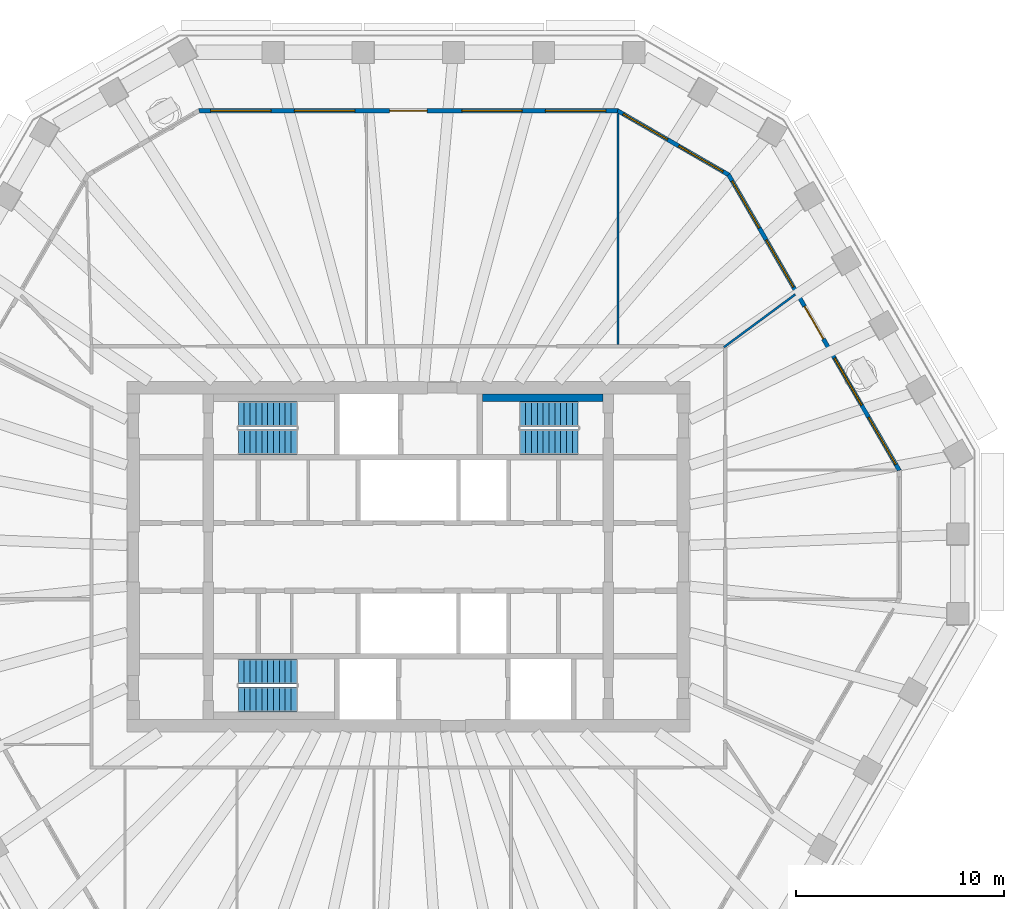
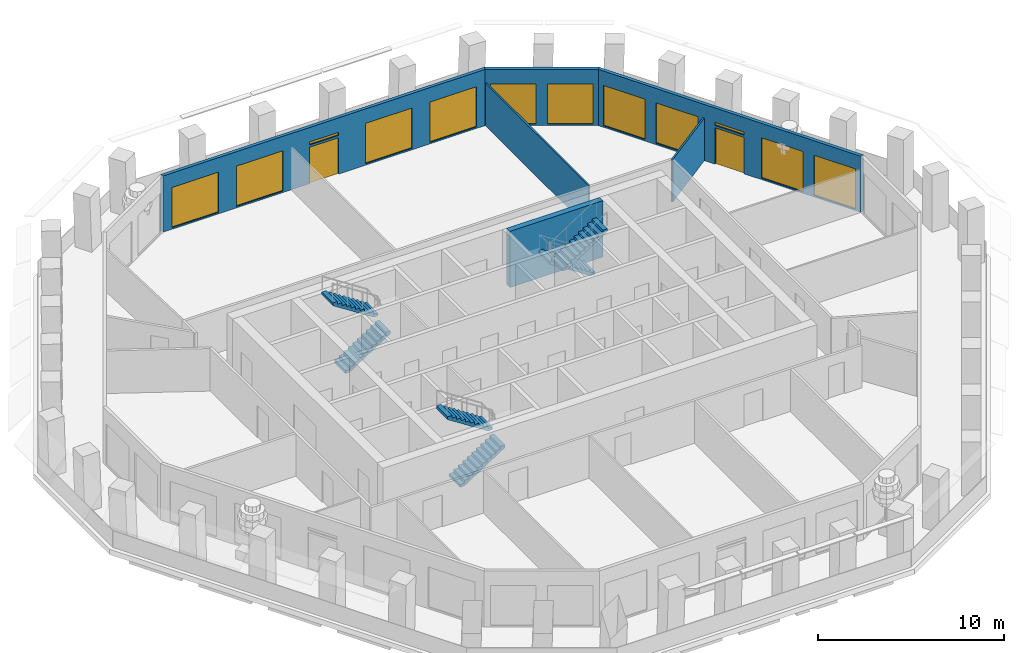
# One storey, part 8 of 12: 12 windows, 6 stair flights, 6 walls, 2 doors, 14 openings, 3 elements without a shape of their own.
"""IFC4 building model written with IfcOpenShell, lengths in metres."""

from ifc_helpers import new_model, si_unit, direction, frame, frame_2d, origin, place, context, subcontext, project, spatial, polyline, rectangle, outline, extrude, material, layer, layer_set, type_object, element, fill, aggregate, save


model = new_model("IFC4")

# Units and contexts
model_context = context("Model", 3, precision=1e-05, world=origin(), true_north=direction((0.0, 1.0)))
body_context = subcontext(model_context, "Body", "Model", "MODEL_VIEW")
ifc_project = project(units=[si_unit("LENGTHUNIT", "METRE"), si_unit("AREAUNIT", "SQUARE_METRE"), si_unit("VOLUMEUNIT", "CUBIC_METRE"), si_unit("PLANEANGLEUNIT", "RADIAN"), si_unit("MASSUNIT", "GRAM", prefix="KILO")], contexts=[model_context])

# Site, building, storey
site_placement = place(None, origin())
site = spatial("IfcSite", under=ifc_project, at=site_placement, CompositionType="ELEMENT")
building_placement = place(site_placement, origin())
building = spatial("IfcBuilding", under=site, at=building_placement, Name="Frailejon Research Tower", CompositionType="ELEMENT")
storey_placement = place(building_placement, frame((0.0, 0.0, 245.39990234375)))
storey = spatial("IfcBuildingStorey", under=building, at=storey_placement, Name="L53", CompositionType="ELEMENT", Elevation=245.39990234375)

# Walls
ifc_material_1 = material(Name="Gypsum board and masonry partition", Category="masonry")
ifc_layer_1 = layer(ifc_material_1, 0.10009765625)
ifc_layer_set_1 = layer_set([ifc_layer_1], Name="Partition, gypsum on steel studs 100")
wall_type_1 = type_object("IfcWallType", Name="Partition, gypsum on steel studs 100", PredefinedType="PARTITIONING", material=ifc_layer_set_1)
wall_1_placement = place(storey_placement, frame((15.1396484375, 10.055419921875, 0.0), z_axis=(0.0, 0.0, 1.0), x_axis=(0.803940068615, 0.594710321144, 0.0)))
element("IfcWall", 1, at=wall_1_placement, inside=storey, type_object=wall_type_1, Name="T:IW:L53:016", PredefinedType="PARTITIONING", context=body_context, shape_type="SweptSolid", body=[
    extrude(rectangle(XDim=4.256591796875, YDim=0.10009765625, at=frame_2d((2.12841796875, 0.0))), origin(), (0.0, 0.0, 1.0), 2.800048828125),
])
wall_2_placement = place(storey_placement, frame((10.0634765625, 10.175048828125, 0.0), z_axis=(0.0, 0.0, 1.0), x_axis=(0.0, 1.0, 0.0)))
element("IfcWall", 2, at=wall_2_placement, inside=storey, type_object=wall_type_1, Name="T:IW:L53:017", PredefinedType="PARTITIONING", context=body_context, shape_type="SweptSolid", body=[
    extrude(rectangle(XDim=11.093994140625, YDim=0.10009765625, at=frame_2d((5.546875, 0.0))), origin(), (0.0, 0.0, 1.0), 2.800048828125),
])
ifc_material_2 = material(Name="Concrete C60/75", Category="concrete")
ifc_layer_2 = layer(ifc_material_2, 0.35009765625)
ifc_layer_set_2 = layer_set([ifc_layer_2], Name="Shaft wall 350 C60/75")
wall_type_2 = type_object("IfcWallType", Name="Shaft wall 350 C60/75", PredefinedType="SOLIDWALL", material=ifc_layer_set_2)
wall_3_placement = place(storey_placement, frame((3.550048828125, 7.625, 0.0), z_axis=(0.0, 0.0, 1.0), x_axis=(1.0, 0.0, 0.0)))
element("IfcWall", 3, at=wall_3_placement, inside=storey, type_object=wall_type_2, Name="Shaft wall", PredefinedType="SOLIDWALL", context=body_context, shape_type="SweptSolid", body=[
    extrude(rectangle(XDim=5.800048828125, YDim=0.35009765625, at=frame_2d((2.89990234375, 0.0))), origin(), (0.0, 0.0, 1.0), 3.7001953125),
])

# Wall, openings, door, windows
ifc_material_3 = material(Name="Concrete C40/50 precast window wall panel", Category="concrete")
ifc_layer_3 = layer(ifc_material_3, 0.199951171875)
ifc_layer_set_3 = layer_set([ifc_layer_3], Name="Window wall 200")
wall_type_3 = type_object("IfcWallType", Name="Window wall 200", PredefinedType="SOLIDWALL", material=ifc_layer_set_3)
wall_4_placement = place(storey_placement, frame((23.55126953125, 4.14501953125, 0.0), z_axis=(0.0, 0.0, 1.0), x_axis=(-0.500004284815, 0.866022929931, 0.0)))
wall_4 = element("IfcWall", 4, at=wall_4_placement, inside=storey, type_object=wall_type_3, Name="Exterior wall L53", PredefinedType="SOLIDWALL", context=body_context, shape_type="SweptSolid", body=[
    extrude(outline(polyline([(-0.02685546875, -0.10009765625), (0.999755859375, -0.10009765625), (2.0263671875, -0.10009765625), (3.052978515625, -0.10009765625), (4.07958984375, -0.10009765625), (5.106201171875, -0.10009765625), (6.1328125, -0.10009765625), (7.159423828125, -0.10009765625), (8.18603515625, -0.10009765625), (9.21240234375, -0.10009765625), (10.239013671875, -0.10009765625), (11.265625, -0.10009765625), (12.292236328125, -0.10009765625), (13.31884765625, -0.10009765625), (14.345458984375, -0.10009765625), (15.3720703125, -0.10009765625), (16.398681640625, -0.10009765625), (16.344970703125, 0.10009765625), (15.3251953125, 0.10009765625), (14.30517578125, 0.10009765625), (13.285400390625, 0.10009765625), (12.265380859375, 0.10009765625), (11.24560546875, 0.10009765625), (10.2255859375, 0.10009765625), (9.205810546875, 0.10009765625), (8.18603515625, 0.10009765625), (7.166015625, 0.10009765625), (6.146240234375, 0.10009765625), (5.126220703125, 0.10009765625), (4.1064453125, 0.10009765625), (3.08642578125, 0.10009765625), (2.066650390625, 0.10009765625), (1.046630859375, 0.10009765625), (0.02685546875, 0.10009765625), (-0.02685546875, -0.10009765625)])), origin(), (0.0, 0.0, 1.0), 3.7001953125),
])
opening_1_placement = place(wall_4_placement, frame((0.337158203125, 0.0, 0.10009765625)))
opening_1 = element("IfcOpeningElement", 5, at=opening_1_placement, cuts=wall_4, Name="Opening W18", PredefinedType="OPENING", context=body_context, shape_type="SweptSolid", body=[
    extrude(rectangle(XDim=2.60009765625, YDim=2.64990234375, at=frame_2d((1.300048828125, 1.324951171875))), frame((0.0, 0.10986328125, 0.0), z_axis=(0.0, -1.0, 0.0), x_axis=(1.0, 0.0, 0.0)), (0.0, 0.0, 1.0), 0.219970703125),
])
opening_2_placement = place(wall_4_placement, frame((3.611572265625, 0.0, 0.10009765625)))
opening_2 = element("IfcOpeningElement", 6, at=opening_2_placement, cuts=wall_4, Name="Opening W18", PredefinedType="OPENING", context=body_context, shape_type="SweptSolid", body=[
    extrude(rectangle(XDim=2.60009765625, YDim=2.64990234375, at=frame_2d((1.300048828125, 1.324951171875))), frame((0.0, 0.10986328125, 0.0), z_axis=(0.0, -1.0, 0.0), x_axis=(1.0, 0.0, 0.0)), (0.0, 0.0, 1.0), 0.219970703125),
])
opening_3_placement = place(wall_4_placement, frame((7.285888671875, 0.0, 0.0)))
opening_3 = element("IfcOpeningElement", 7, at=opening_3_placement, cuts=wall_4, Name="Opening LG53-1", PredefinedType="OPENING", context=body_context, shape_type="SweptSolid", body=[
    extrude(rectangle(XDim=1.800048828125, YDim=2.39990234375, at=frame_2d((0.89990234375, 1.199951171875))), frame((0.0, 0.10986328125, 0.0), z_axis=(0.0, -1.0, 0.0), x_axis=(1.0, 0.0, 0.0)), (0.0, 0.0, 1.0), 0.219970703125),
])
opening_4_placement = place(wall_4_placement, frame((7.285888671875, 0.0, 2.550048828125)))
opening_4 = element("IfcOpeningElement", 8, at=opening_4_placement, cuts=wall_4, Name="Opening W19", PredefinedType="OPENING", context=body_context, shape_type="SweptSolid", body=[
    extrude(rectangle(XDim=1.800048828125, YDim=0.199951171875, at=frame_2d((0.89990234375, 0.10009765625))), frame((0.0, 0.10986328125, 0.0), z_axis=(0.0, -1.0, 0.0), x_axis=(1.0, 0.0, 0.0)), (0.0, 0.0, 1.0), 0.219970703125),
])
opening_5_placement = place(wall_4_placement, frame((10.160400390625, 0.0, 0.10009765625)))
opening_5 = element("IfcOpeningElement", 9, at=opening_5_placement, cuts=wall_4, Name="Opening W18", PredefinedType="OPENING", context=body_context, shape_type="SweptSolid", body=[
    extrude(rectangle(XDim=2.60009765625, YDim=2.64990234375, at=frame_2d((1.300048828125, 1.324951171875))), frame((0.0, 0.10986328125, 0.0), z_axis=(0.0, -1.0, 0.0), x_axis=(1.0, 0.0, 0.0)), (0.0, 0.0, 1.0), 0.219970703125),
])
opening_6_placement = place(wall_4_placement, frame((13.434814453125, 0.0, 0.10009765625)))
opening_6 = element("IfcOpeningElement", 10, at=opening_6_placement, cuts=wall_4, Name="Opening W18", PredefinedType="OPENING", context=body_context, shape_type="SweptSolid", body=[
    extrude(rectangle(XDim=2.60009765625, YDim=2.64990234375, at=frame_2d((1.300048828125, 1.324951171875))), frame((0.0, 0.10986328125, 0.0), z_axis=(0.0, -1.0, 0.0), x_axis=(1.0, 0.0, 0.0)), (0.0, 0.0, 1.0), 0.219970703125),
])
ifc_material_4 = material(Name="Aluminium framed glazed door leaf", Category="aluminium")
door_type = type_object("IfcDoorType", Name="Loggia door 1800x2400", OperationType="DOUBLE_DOOR_SINGLE_SWING", PredefinedType="DOOR", material=ifc_material_4)
door_1_placement = place(opening_3_placement, origin())
door_1 = element("IfcDoor", 11, at=door_1_placement, inside=storey, type_object=door_type, Name="Door LG53-1", OperationType="DOUBLE_DOOR_SINGLE_SWING", OverallHeight=2.39990234375, OverallWidth=1.800048828125, PredefinedType="DOOR", context=body_context, shape_type="SweptSolid", body=[
    extrude(rectangle(XDim=1.800048828125, YDim=2.39990234375, at=frame_2d((0.89990234375, 1.199951171875))), frame((0.0, 0.02490234375, 0.0), z_axis=(0.0, -1.0, 0.0), x_axis=(1.0, 0.0, 0.0)), (0.0, 0.0, 1.0), 0.050048828125),
])
fill(opening_3, door_1)
ifc_material_5 = material(Name="Aluminium framed double glazing", Category="aluminium")
window_type_1 = type_object("IfcWindowType", Name="Window 1800x200", PartitioningType="SINGLE_PANEL", PredefinedType="WINDOW", material=ifc_material_5)
window_1_placement = place(opening_4_placement, origin())
window_1 = element("IfcWindow", 12, at=window_1_placement, inside=storey, type_object=window_type_1, Name="Window L53", OverallHeight=0.199951171875, OverallWidth=1.800048828125, PartitioningType="SINGLE_PANEL", PredefinedType="WINDOW", context=body_context, shape_type="SweptSolid", body=[
    extrude(rectangle(XDim=1.800048828125, YDim=0.199951171875, at=frame_2d((0.89990234375, 0.10009765625))), frame((0.0, 0.030029296875, 0.0), z_axis=(0.0, -1.0, 0.0), x_axis=(1.0, 0.0, 0.0)), (0.0, 0.0, 1.0), 0.06005859375),
])
fill(opening_4, window_1)
ifc_material_6 = material(Name="Aluminium framed double glazing", Category="aluminium")
window_type_2 = type_object("IfcWindowType", Name="Window 2600x2650", PartitioningType="SINGLE_PANEL", PredefinedType="WINDOW", material=ifc_material_6)
window_2_placement = place(opening_1_placement, origin())
window_2 = element("IfcWindow", 13, at=window_2_placement, inside=storey, type_object=window_type_2, Name="Window L53", OverallHeight=2.64990234375, OverallWidth=2.60009765625, PartitioningType="SINGLE_PANEL", PredefinedType="WINDOW", context=body_context, shape_type="SweptSolid", body=[
    extrude(rectangle(XDim=2.60009765625, YDim=2.64990234375, at=frame_2d((1.300048828125, 1.324951171875))), frame((0.0, 0.030029296875, 0.0), z_axis=(0.0, -1.0, 0.0), x_axis=(1.0, 0.0, 0.0)), (0.0, 0.0, 1.0), 0.06005859375),
])
fill(opening_1, window_2)
window_3_placement = place(opening_2_placement, origin())
window_3 = element("IfcWindow", 14, at=window_3_placement, inside=storey, type_object=window_type_2, Name="Window L53", OverallHeight=2.64990234375, OverallWidth=2.60009765625, PartitioningType="SINGLE_PANEL", PredefinedType="WINDOW", context=body_context, shape_type="SweptSolid", body=[
    extrude(rectangle(XDim=2.60009765625, YDim=2.64990234375, at=frame_2d((1.300048828125, 1.324951171875))), frame((0.0, 0.030029296875, 0.0), z_axis=(0.0, -1.0, 0.0), x_axis=(1.0, 0.0, 0.0)), (0.0, 0.0, 1.0), 0.06005859375),
])
fill(opening_2, window_3)
window_4_placement = place(opening_5_placement, origin())
window_4 = element("IfcWindow", 15, at=window_4_placement, inside=storey, type_object=window_type_2, Name="Window L53", OverallHeight=2.64990234375, OverallWidth=2.60009765625, PartitioningType="SINGLE_PANEL", PredefinedType="WINDOW", context=body_context, shape_type="SweptSolid", body=[
    extrude(rectangle(XDim=2.60009765625, YDim=2.64990234375, at=frame_2d((1.300048828125, 1.324951171875))), frame((0.0, 0.030029296875, 0.0), z_axis=(0.0, -1.0, 0.0), x_axis=(1.0, 0.0, 0.0)), (0.0, 0.0, 1.0), 0.06005859375),
])
fill(opening_5, window_4)
window_5_placement = place(opening_6_placement, origin())
window_5 = element("IfcWindow", 16, at=window_5_placement, inside=storey, type_object=window_type_2, Name="Window L53", OverallHeight=2.64990234375, OverallWidth=2.60009765625, PartitioningType="SINGLE_PANEL", PredefinedType="WINDOW", context=body_context, shape_type="SweptSolid", body=[
    extrude(rectangle(XDim=2.60009765625, YDim=2.64990234375, at=frame_2d((1.300048828125, 1.324951171875))), frame((0.0, 0.030029296875, 0.0), z_axis=(0.0, -1.0, 0.0), x_axis=(1.0, 0.0, 0.0)), (0.0, 0.0, 1.0), 0.06005859375),
])
fill(opening_6, window_5)

# Wall, openings, windows
wall_5_placement = place(storey_placement, frame((15.365234375, 18.323486328125, 0.0), z_axis=(0.0, 0.0, 1.0), x_axis=(-0.866029647142, 0.499992650217, 0.0)))
wall_5 = element("IfcWall", 17, at=wall_5_placement, inside=storey, type_object=wall_type_3, Name="Exterior wall L53", PredefinedType="SOLIDWALL", context=body_context, shape_type="SweptSolid", body=[
    extrude(outline(polyline([(-0.02685546875, -0.10009765625), (1.007568359375, -0.10009765625), (2.0419921875, -0.10009765625), (3.076416015625, -0.10009765625), (4.11083984375, -0.10009765625), (5.145263671875, -0.10009765625), (6.1796875, -0.10009765625), (6.1259765625, 0.10009765625), (5.109375, 0.10009765625), (4.093017578125, 0.10009765625), (3.076416015625, 0.10009765625), (2.059814453125, 0.10009765625), (1.04345703125, 0.10009765625), (0.02685546875, 0.10009765625), (-0.02685546875, -0.10009765625)])), origin(), (0.0, 0.0, 1.0), 3.7001953125),
])
opening_7_placement = place(wall_5_placement, frame((0.313232421875, 0.0, 0.10009765625)))
opening_7 = element("IfcOpeningElement", 18, at=opening_7_placement, cuts=wall_5, Name="Opening W17", PredefinedType="OPENING", context=body_context, shape_type="SweptSolid", body=[
    extrude(rectangle(XDim=2.449951171875, YDim=2.64990234375, at=frame_2d((1.22509765625, 1.324951171875))), frame((0.0, 0.10986328125, 0.0), z_axis=(0.0, -1.0, 0.0), x_axis=(1.0, 0.0, 0.0)), (0.0, 0.0, 1.0), 0.219970703125),
])
opening_8_placement = place(wall_5_placement, frame((3.3896484375, 0.0, 0.10009765625)))
opening_8 = element("IfcOpeningElement", 19, at=opening_8_placement, cuts=wall_5, Name="Opening W17", PredefinedType="OPENING", context=body_context, shape_type="SweptSolid", body=[
    extrude(rectangle(XDim=2.449951171875, YDim=2.64990234375, at=frame_2d((1.22509765625, 1.324951171875))), frame((0.0, 0.10986328125, 0.0), z_axis=(0.0, -1.0, 0.0), x_axis=(1.0, 0.0, 0.0)), (0.0, 0.0, 1.0), 0.219970703125),
])
ifc_material_7 = material(Name="Aluminium framed double glazing", Category="aluminium")
window_type_3 = type_object("IfcWindowType", Name="Window 2450x2650", PartitioningType="SINGLE_PANEL", PredefinedType="WINDOW", material=ifc_material_7)
window_6_placement = place(opening_7_placement, origin())
window_6 = element("IfcWindow", 20, at=window_6_placement, inside=storey, type_object=window_type_3, Name="Window L53", OverallHeight=2.64990234375, OverallWidth=2.449951171875, PartitioningType="SINGLE_PANEL", PredefinedType="WINDOW", context=body_context, shape_type="SweptSolid", body=[
    extrude(rectangle(XDim=2.449951171875, YDim=2.64990234375, at=frame_2d((1.22509765625, 1.324951171875))), frame((0.0, 0.030029296875, 0.0), z_axis=(0.0, -1.0, 0.0), x_axis=(1.0, 0.0, 0.0)), (0.0, 0.0, 1.0), 0.06005859375),
])
fill(opening_7, window_6)
window_7_placement = place(opening_8_placement, origin())
window_7 = element("IfcWindow", 21, at=window_7_placement, inside=storey, type_object=window_type_3, Name="Window L53", OverallHeight=2.64990234375, OverallWidth=2.449951171875, PartitioningType="SINGLE_PANEL", PredefinedType="WINDOW", context=body_context, shape_type="SweptSolid", body=[
    extrude(rectangle(XDim=2.449951171875, YDim=2.64990234375, at=frame_2d((1.22509765625, 1.324951171875))), frame((0.0, 0.030029296875, 0.0), z_axis=(0.0, -1.0, 0.0), x_axis=(1.0, 0.0, 0.0)), (0.0, 0.0, 1.0), 0.06005859375),
])
fill(opening_8, window_7)

# Wall, openings, door, windows
wall_6_placement = place(storey_placement, frame((10.03662109375, 21.39990234375, 0.0), z_axis=(0.0, 0.0, 1.0), x_axis=(-1.0, 0.0, 0.0)))
wall_6 = element("IfcWall", 22, at=wall_6_placement, inside=storey, type_object=wall_type_3, Name="Exterior wall L53", PredefinedType="SOLIDWALL", context=body_context, shape_type="SweptSolid", body=[
    extrude(outline(polyline([(-0.02685546875, -0.10009765625), (0.9794921875, -0.10009765625), (1.98583984375, -0.10009765625), (2.9921875, -0.10009765625), (3.99853515625, -0.10009765625), (5.0048828125, -0.10009765625), (6.01123046875, -0.10009765625), (7.017578125, -0.10009765625), (8.02392578125, -0.10009765625), (9.0302734375, -0.10009765625), (10.03662109375, -0.10009765625), (11.04296875, -0.10009765625), (12.04931640625, -0.10009765625), (13.0556640625, -0.10009765625), (14.06201171875, -0.10009765625), (15.068359375, -0.10009765625), (16.07470703125, -0.10009765625), (17.0810546875, -0.10009765625), (18.08740234375, -0.10009765625), (19.09375, -0.10009765625), (20.10009765625, -0.10009765625), (20.04638671875, 0.10009765625), (19.04541015625, 0.10009765625), (18.04443359375, 0.10009765625), (17.04345703125, 0.10009765625), (16.04248046875, 0.10009765625), (15.04150390625, 0.10009765625), (14.04052734375, 0.10009765625), (13.03955078125, 0.10009765625), (12.03857421875, 0.10009765625), (11.03759765625, 0.10009765625), (10.03662109375, 0.10009765625), (9.03564453125, 0.10009765625), (8.03466796875, 0.10009765625), (7.03369140625, 0.10009765625), (6.03271484375, 0.10009765625), (5.03173828125, 0.10009765625), (4.03076171875, 0.10009765625), (3.02978515625, 0.10009765625), (2.02880859375, 0.10009765625), (1.02783203125, 0.10009765625), (0.02685546875, 0.10009765625), (-0.02685546875, -0.10009765625)])), origin(), (0.0, 0.0, 1.0), 3.7001953125),
])
opening_9_placement = place(wall_6_placement, frame((0.557373046875, 0.0, 0.10009765625)))
opening_9 = element("IfcOpeningElement", 23, at=opening_9_placement, cuts=wall_6, Name="Opening W20", PredefinedType="OPENING", context=body_context, shape_type="SweptSolid", body=[
    extrude(rectangle(XDim=2.89990234375, YDim=2.64990234375, at=frame_2d((1.449951171875, 1.324951171875))), frame((0.0, 0.10986328125, 0.0), z_axis=(0.0, -1.0, 0.0), x_axis=(1.0, 0.0, 0.0)), (0.0, 0.0, 1.0), 0.219970703125),
])
opening_10_placement = place(wall_6_placement, frame((4.572021484375, 0.0, 0.10009765625)))
opening_10 = element("IfcOpeningElement", 24, at=opening_10_placement, cuts=wall_6, Name="Opening W20", PredefinedType="OPENING", context=body_context, shape_type="SweptSolid", body=[
    extrude(rectangle(XDim=2.89990234375, YDim=2.64990234375, at=frame_2d((1.449951171875, 1.324951171875))), frame((0.0, 0.10986328125, 0.0), z_axis=(0.0, -1.0, 0.0), x_axis=(1.0, 0.0, 0.0)), (0.0, 0.0, 1.0), 0.219970703125),
])
opening_11_placement = place(wall_6_placement, frame((9.13671875, 0.0, 0.0)))
opening_11 = element("IfcOpeningElement", 25, at=opening_11_placement, cuts=wall_6, Name="Opening LG53-2", PredefinedType="OPENING", context=body_context, shape_type="SweptSolid", body=[
    extrude(rectangle(XDim=1.800048828125, YDim=2.39990234375, at=frame_2d((0.89990234375, 1.199951171875))), frame((0.0, 0.10986328125, 0.0), z_axis=(0.0, -1.0, 0.0), x_axis=(1.0, 0.0, 0.0)), (0.0, 0.0, 1.0), 0.219970703125),
])
opening_12_placement = place(wall_6_placement, frame((9.13671875, 0.0, 2.550048828125)))
opening_12 = element("IfcOpeningElement", 26, at=opening_12_placement, cuts=wall_6, Name="Opening W19", PredefinedType="OPENING", context=body_context, shape_type="SweptSolid", body=[
    extrude(rectangle(XDim=1.800048828125, YDim=0.199951171875, at=frame_2d((0.89990234375, 0.10009765625))), frame((0.0, 0.10986328125, 0.0), z_axis=(0.0, -1.0, 0.0), x_axis=(1.0, 0.0, 0.0)), (0.0, 0.0, 1.0), 0.219970703125),
])
opening_13_placement = place(wall_6_placement, frame((12.601318359375, 0.0, 0.10009765625)))
opening_13 = element("IfcOpeningElement", 27, at=opening_13_placement, cuts=wall_6, Name="Opening W20", PredefinedType="OPENING", context=body_context, shape_type="SweptSolid", body=[
    extrude(rectangle(XDim=2.89990234375, YDim=2.64990234375, at=frame_2d((1.449951171875, 1.324951171875))), frame((0.0, 0.10986328125, 0.0), z_axis=(0.0, -1.0, 0.0), x_axis=(1.0, 0.0, 0.0)), (0.0, 0.0, 1.0), 0.219970703125),
])
opening_14_placement = place(wall_6_placement, frame((16.615966796875, 0.0, 0.10009765625)))
opening_14 = element("IfcOpeningElement", 28, at=opening_14_placement, cuts=wall_6, Name="Opening W20", PredefinedType="OPENING", context=body_context, shape_type="SweptSolid", body=[
    extrude(rectangle(XDim=2.89990234375, YDim=2.64990234375, at=frame_2d((1.449951171875, 1.324951171875))), frame((0.0, 0.10986328125, 0.0), z_axis=(0.0, -1.0, 0.0), x_axis=(1.0, 0.0, 0.0)), (0.0, 0.0, 1.0), 0.219970703125),
])
door_2_placement = place(opening_11_placement, origin())
door_2 = element("IfcDoor", 29, at=door_2_placement, inside=storey, type_object=door_type, Name="Door LG53-2", OperationType="DOUBLE_DOOR_SINGLE_SWING", OverallHeight=2.39990234375, OverallWidth=1.800048828125, PredefinedType="DOOR", context=body_context, shape_type="SweptSolid", body=[
    extrude(rectangle(XDim=1.800048828125, YDim=2.39990234375, at=frame_2d((0.89990234375, 1.199951171875))), frame((0.0, 0.02490234375, 0.0), z_axis=(0.0, -1.0, 0.0), x_axis=(1.0, 0.0, 0.0)), (0.0, 0.0, 1.0), 0.050048828125),
])
fill(opening_11, door_2)
window_8_placement = place(opening_12_placement, origin())
window_8 = element("IfcWindow", 30, at=window_8_placement, inside=storey, type_object=window_type_1, Name="Window L53", OverallHeight=0.199951171875, OverallWidth=1.800048828125, PartitioningType="SINGLE_PANEL", PredefinedType="WINDOW", context=body_context, shape_type="SweptSolid", body=[
    extrude(rectangle(XDim=1.800048828125, YDim=0.199951171875, at=frame_2d((0.89990234375, 0.10009765625))), frame((0.0, 0.030029296875, 0.0), z_axis=(0.0, -1.0, 0.0), x_axis=(1.0, 0.0, 0.0)), (0.0, 0.0, 1.0), 0.06005859375),
])
fill(opening_12, window_8)
ifc_material_8 = material(Name="Aluminium framed double glazing", Category="aluminium")
window_type_4 = type_object("IfcWindowType", Name="Window 2900x2650", PartitioningType="SINGLE_PANEL", PredefinedType="WINDOW", material=ifc_material_8)
window_9_placement = place(opening_9_placement, origin())
window_9 = element("IfcWindow", 31, at=window_9_placement, inside=storey, type_object=window_type_4, Name="Window L53", OverallHeight=2.64990234375, OverallWidth=2.89990234375, PartitioningType="SINGLE_PANEL", PredefinedType="WINDOW", context=body_context, shape_type="SweptSolid", body=[
    extrude(rectangle(XDim=2.89990234375, YDim=2.64990234375, at=frame_2d((1.449951171875, 1.324951171875))), frame((0.0, 0.030029296875, 0.0), z_axis=(0.0, -1.0, 0.0), x_axis=(1.0, 0.0, 0.0)), (0.0, 0.0, 1.0), 0.06005859375),
])
fill(opening_9, window_9)
window_10_placement = place(opening_10_placement, origin())
window_10 = element("IfcWindow", 32, at=window_10_placement, inside=storey, type_object=window_type_4, Name="Window L53", OverallHeight=2.64990234375, OverallWidth=2.89990234375, PartitioningType="SINGLE_PANEL", PredefinedType="WINDOW", context=body_context, shape_type="SweptSolid", body=[
    extrude(rectangle(XDim=2.89990234375, YDim=2.64990234375, at=frame_2d((1.449951171875, 1.324951171875))), frame((0.0, 0.030029296875, 0.0), z_axis=(0.0, -1.0, 0.0), x_axis=(1.0, 0.0, 0.0)), (0.0, 0.0, 1.0), 0.06005859375),
])
fill(opening_10, window_10)
window_11_placement = place(opening_13_placement, origin())
window_11 = element("IfcWindow", 33, at=window_11_placement, inside=storey, type_object=window_type_4, Name="Window L53", OverallHeight=2.64990234375, OverallWidth=2.89990234375, PartitioningType="SINGLE_PANEL", PredefinedType="WINDOW", context=body_context, shape_type="SweptSolid", body=[
    extrude(rectangle(XDim=2.89990234375, YDim=2.64990234375, at=frame_2d((1.449951171875, 1.324951171875))), frame((0.0, 0.030029296875, 0.0), z_axis=(0.0, -1.0, 0.0), x_axis=(1.0, 0.0, 0.0)), (0.0, 0.0, 1.0), 0.06005859375),
])
fill(opening_13, window_11)
window_12_placement = place(opening_14_placement, origin())
window_12 = element("IfcWindow", 34, at=window_12_placement, inside=storey, type_object=window_type_4, Name="Window L53", OverallHeight=2.64990234375, OverallWidth=2.89990234375, PartitioningType="SINGLE_PANEL", PredefinedType="WINDOW", context=body_context, shape_type="SweptSolid", body=[
    extrude(rectangle(XDim=2.89990234375, YDim=2.64990234375, at=frame_2d((1.449951171875, 1.324951171875))), frame((0.0, 0.030029296875, 0.0), z_axis=(0.0, -1.0, 0.0), x_axis=(1.0, 0.0, 0.0)), (0.0, 0.0, 1.0), 0.06005859375),
])
fill(opening_14, window_12)

# Stair, stair flights
ifc_material_9 = material(Name="Concrete C50/60", Category="concrete")
stair_type = type_object("IfcStairType", Name="Exit stair 22 risers", PredefinedType="HALF_TURN_STAIR", material=ifc_material_9)
stair_1_placement = place(storey_placement, origin())
stair_1 = element("IfcStair", 35, at=stair_1_placement, inside=storey, type_object=stair_type, Name="L53 Exit stair ST1", PredefinedType="HALF_TURN_STAIR")
ifc_material_10 = material(Name="Concrete C50/60", Category="concrete")
ifc_layer_4 = layer(ifc_material_10, 0.14990234375)
ifc_layer_set_4 = layer_set([ifc_layer_4], Name="Stair flight 11 risers")
stair_flight_type = type_object("IfcStairFlightType", Name="Stair flight 11 risers", PredefinedType="STRAIGHT", material=ifc_layer_set_4)
stair_flight_1_placement = place(storey_placement, frame((-8.14990234375, 5.5, 0.0), z_axis=(0.0, 0.0, 1.0), x_axis=(1.0, 0.0, 0.0)))
stair_flight_1 = element("IfcStairFlight", 36, at=stair_flight_1_placement, type_object=stair_flight_type, Name="ST1 flight 1", NumberOfRisers=11, NumberOfTreads=10, PredefinedType="STRAIGHT", RiserHeight=0.181818182, TreadLength=0.28, context=body_context, shape_type="SweptSolid", body=[
    extrude(outline(polyline([(0.0, 0.0), (0.0, 0.181884765625), (0.280029296875, 0.181884765625), (0.280029296875, 0.363525390625), (0.56005859375, 0.363525390625), (0.56005859375, 0.54541015625), (0.840087890625, 0.54541015625), (0.840087890625, 0.727294921875), (1.1201171875, 0.727294921875), (1.1201171875, 0.9091796875), (1.39990234375, 0.9091796875), (1.39990234375, 1.0908203125), (1.679931640625, 1.0908203125), (1.679931640625, 1.272705078125), (1.9599609375, 1.272705078125), (1.9599609375, 1.45458984375), (2.239990234375, 1.45458984375), (2.239990234375, 1.636474609375), (2.52001953125, 1.636474609375), (2.52001953125, 1.818115234375), (2.800048828125, 1.818115234375), (2.800048828125, 2.0), (2.800048828125, 1.639404296875), (0.275146484375, 0.0), (0.0, 0.0)])), frame((0.0, 0.60009765625, 0.0), z_axis=(0.0, -1.0, 0.0), x_axis=(1.0, 0.0, 0.0)), (0.0, 0.0, 1.0), 1.199951171875),
])
stair_flight_2_placement = place(storey_placement, frame((-5.35009765625, 6.85009765625, 2.0), z_axis=(0.0, 0.0, 1.0), x_axis=(-1.0, 0.0, 0.0)))
stair_flight_2 = element("IfcStairFlight", 37, at=stair_flight_2_placement, type_object=stair_flight_type, Name="ST1 flight 2", NumberOfRisers=11, NumberOfTreads=10, PredefinedType="STRAIGHT", RiserHeight=0.181818182, TreadLength=0.28, context=body_context, shape_type="SweptSolid", body=[
    extrude(outline(polyline([(0.0, 0.0), (0.0, 0.181884765625), (0.280029296875, 0.181884765625), (0.280029296875, 0.363525390625), (0.56005859375, 0.363525390625), (0.56005859375, 0.54541015625), (0.840087890625, 0.54541015625), (0.840087890625, 0.727294921875), (1.1201171875, 0.727294921875), (1.1201171875, 0.9091796875), (1.39990234375, 0.9091796875), (1.39990234375, 1.0908203125), (1.679931640625, 1.0908203125), (1.679931640625, 1.272705078125), (1.9599609375, 1.272705078125), (1.9599609375, 1.45458984375), (2.239990234375, 1.45458984375), (2.239990234375, 1.636474609375), (2.52001953125, 1.636474609375), (2.52001953125, 1.818115234375), (2.800048828125, 1.818115234375), (2.800048828125, 2.0), (2.800048828125, 1.639404296875), (0.275146484375, 0.0), (0.0, 0.0)])), frame((0.0, 0.60009765625, 0.0), z_axis=(0.0, -1.0, 0.0), x_axis=(1.0, 0.0, 0.0)), (0.0, 0.0, 1.0), 1.199951171875),
])
aggregate(stair_1, [stair_flight_1, stair_flight_2])

stair_2_placement = place(storey_placement, origin())
stair_2 = element("IfcStair", 38, at=stair_2_placement, inside=storey, type_object=stair_type, Name="L53 Exit stair ST2", PredefinedType="HALF_TURN_STAIR")
stair_flight_3_placement = place(storey_placement, frame((-8.14990234375, -6.85009765625, 0.0), z_axis=(0.0, 0.0, 1.0), x_axis=(1.0, 0.0, 0.0)))
stair_flight_3 = element("IfcStairFlight", 39, at=stair_flight_3_placement, type_object=stair_flight_type, Name="ST2 flight 1", NumberOfRisers=11, NumberOfTreads=10, PredefinedType="STRAIGHT", RiserHeight=0.181818182, TreadLength=0.28, context=body_context, shape_type="SweptSolid", body=[
    extrude(outline(polyline([(0.0, 0.0), (0.0, 0.181884765625), (0.280029296875, 0.181884765625), (0.280029296875, 0.363525390625), (0.56005859375, 0.363525390625), (0.56005859375, 0.54541015625), (0.840087890625, 0.54541015625), (0.840087890625, 0.727294921875), (1.1201171875, 0.727294921875), (1.1201171875, 0.9091796875), (1.39990234375, 0.9091796875), (1.39990234375, 1.0908203125), (1.679931640625, 1.0908203125), (1.679931640625, 1.272705078125), (1.9599609375, 1.272705078125), (1.9599609375, 1.45458984375), (2.239990234375, 1.45458984375), (2.239990234375, 1.636474609375), (2.52001953125, 1.636474609375), (2.52001953125, 1.818115234375), (2.800048828125, 1.818115234375), (2.800048828125, 2.0), (2.800048828125, 1.639404296875), (0.275146484375, 0.0), (0.0, 0.0)])), frame((0.0, 0.60009765625, 0.0), z_axis=(0.0, -1.0, 0.0), x_axis=(1.0, 0.0, 0.0)), (0.0, 0.0, 1.0), 1.199951171875),
])
stair_flight_4_placement = place(storey_placement, frame((-5.35009765625, -5.5, 2.0), z_axis=(0.0, 0.0, 1.0), x_axis=(-1.0, 0.0, 0.0)))
stair_flight_4 = element("IfcStairFlight", 40, at=stair_flight_4_placement, type_object=stair_flight_type, Name="ST2 flight 2", NumberOfRisers=11, NumberOfTreads=10, PredefinedType="STRAIGHT", RiserHeight=0.181818182, TreadLength=0.28, context=body_context, shape_type="SweptSolid", body=[
    extrude(outline(polyline([(0.0, 0.0), (0.0, 0.181884765625), (0.280029296875, 0.181884765625), (0.280029296875, 0.363525390625), (0.56005859375, 0.363525390625), (0.56005859375, 0.54541015625), (0.840087890625, 0.54541015625), (0.840087890625, 0.727294921875), (1.1201171875, 0.727294921875), (1.1201171875, 0.9091796875), (1.39990234375, 0.9091796875), (1.39990234375, 1.0908203125), (1.679931640625, 1.0908203125), (1.679931640625, 1.272705078125), (1.9599609375, 1.272705078125), (1.9599609375, 1.45458984375), (2.239990234375, 1.45458984375), (2.239990234375, 1.636474609375), (2.52001953125, 1.636474609375), (2.52001953125, 1.818115234375), (2.800048828125, 1.818115234375), (2.800048828125, 2.0), (2.800048828125, 1.639404296875), (0.275146484375, 0.0), (0.0, 0.0)])), frame((0.0, 0.60009765625, 0.0), z_axis=(0.0, -1.0, 0.0), x_axis=(1.0, 0.0, 0.0)), (0.0, 0.0, 1.0), 1.199951171875),
])
aggregate(stair_2, [stair_flight_3, stair_flight_4])

stair_3_placement = place(storey_placement, origin())
stair_3 = element("IfcStair", 41, at=stair_3_placement, inside=storey, type_object=stair_type, Name="L53 Exit stair ST3", PredefinedType="HALF_TURN_STAIR")
stair_flight_5_placement = place(storey_placement, frame((8.14990234375, 6.85009765625, 0.0), z_axis=(0.0, 0.0, 1.0), x_axis=(-1.0, 0.0, 0.0)))
stair_flight_5 = element("IfcStairFlight", 42, at=stair_flight_5_placement, type_object=stair_flight_type, Name="ST3 flight 1", NumberOfRisers=11, NumberOfTreads=10, PredefinedType="STRAIGHT", RiserHeight=0.181818182, TreadLength=0.28, context=body_context, shape_type="SweptSolid", body=[
    extrude(outline(polyline([(0.0, 0.0), (0.0, 0.181884765625), (0.280029296875, 0.181884765625), (0.280029296875, 0.363525390625), (0.56005859375, 0.363525390625), (0.56005859375, 0.54541015625), (0.840087890625, 0.54541015625), (0.840087890625, 0.727294921875), (1.1201171875, 0.727294921875), (1.1201171875, 0.9091796875), (1.39990234375, 0.9091796875), (1.39990234375, 1.0908203125), (1.679931640625, 1.0908203125), (1.679931640625, 1.272705078125), (1.9599609375, 1.272705078125), (1.9599609375, 1.45458984375), (2.239990234375, 1.45458984375), (2.239990234375, 1.636474609375), (2.52001953125, 1.636474609375), (2.52001953125, 1.818115234375), (2.800048828125, 1.818115234375), (2.800048828125, 2.0), (2.800048828125, 1.639404296875), (0.275146484375, 0.0), (0.0, 0.0)])), frame((0.0, 0.60009765625, 0.0), z_axis=(0.0, -1.0, 0.0), x_axis=(1.0, 0.0, 0.0)), (0.0, 0.0, 1.0), 1.199951171875),
])
stair_flight_6_placement = place(storey_placement, frame((5.35009765625, 5.5, 2.0), z_axis=(0.0, 0.0, 1.0), x_axis=(1.0, 0.0, 0.0)))
stair_flight_6 = element("IfcStairFlight", 43, at=stair_flight_6_placement, type_object=stair_flight_type, Name="ST3 flight 2", NumberOfRisers=11, NumberOfTreads=10, PredefinedType="STRAIGHT", RiserHeight=0.181818182, TreadLength=0.28, context=body_context, shape_type="SweptSolid", body=[
    extrude(outline(polyline([(0.0, 0.0), (0.0, 0.181884765625), (0.280029296875, 0.181884765625), (0.280029296875, 0.363525390625), (0.56005859375, 0.363525390625), (0.56005859375, 0.54541015625), (0.840087890625, 0.54541015625), (0.840087890625, 0.727294921875), (1.1201171875, 0.727294921875), (1.1201171875, 0.9091796875), (1.39990234375, 0.9091796875), (1.39990234375, 1.0908203125), (1.679931640625, 1.0908203125), (1.679931640625, 1.272705078125), (1.9599609375, 1.272705078125), (1.9599609375, 1.45458984375), (2.239990234375, 1.45458984375), (2.239990234375, 1.636474609375), (2.52001953125, 1.636474609375), (2.52001953125, 1.818115234375), (2.800048828125, 1.818115234375), (2.800048828125, 2.0), (2.800048828125, 1.639404296875), (0.275146484375, 0.0), (0.0, 0.0)])), frame((0.0, 0.60009765625, 0.0), z_axis=(0.0, -1.0, 0.0), x_axis=(1.0, 0.0, 0.0)), (0.0, 0.0, 1.0), 1.199951171875),
])
aggregate(stair_3, [stair_flight_5, stair_flight_6])

save(model, "model.ifc")
